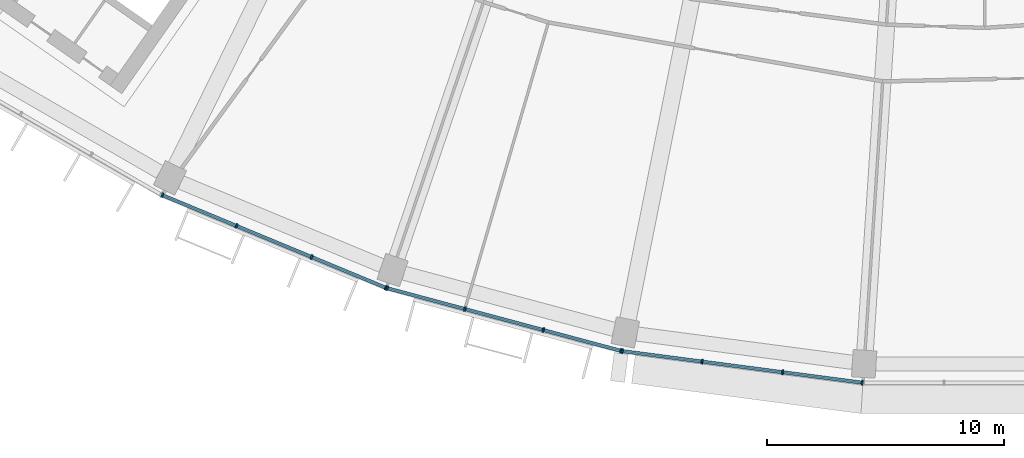
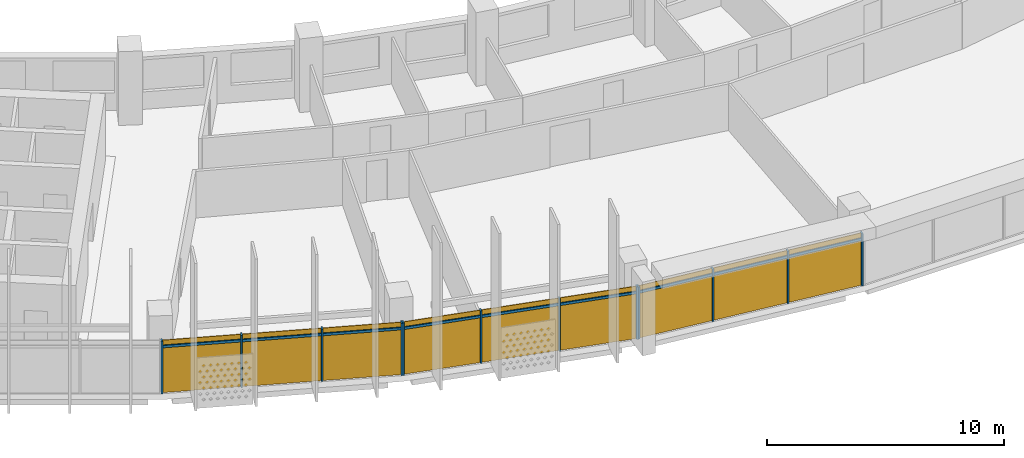
# One storey, part 19 of 28: 21 members, 3 curtain walls.
"""IFC4 building model written with IfcOpenShell, lengths in metres."""

import ifcopenshell
import ifcopenshell.guid

model = None  # the IFC model being written
_history = None  # IfcOwnerHistory: only IFC2X3 demands one
_inside = {}  # id of a spatial element -> (the spatial element, [elements in it])
_under = {}  # id of a project, library or spatial element -> (it, [spatial elements below it])
_declared = {}  # id of a project -> (the project, [libraries it declares])
_typed = {}  # id of a type object -> (the type object, [elements of that type])
_made_of = {}  # id of a material, layer set ... -> (it, [elements and type objects made of it])


def new_model(schema):
    """Start an empty IFC model of exactly this schema.

    Asked for "IFC4X3", IfcOpenShell would pick the latest addendum, in which some entities
    have other attributes; the version numbers below select the first issue.
    IFC2X3 requires an IfcOwnerHistory on every rooted entity: one is made here for all.
    """
    global model, _history
    if schema == "IFC4X3":
        model = ifcopenshell.file(schema_version=(4, 3, 0, 0))
    else:
        model = ifcopenshell.file(schema=schema)
    _inside.clear()
    _under.clear()
    _declared.clear()
    _typed.clear()
    _made_of.clear()
    _history = None
    if model.schema == "IFC2X3":
        org = make("IfcOrganization", Name="unknown")
        user = make(
            "IfcPersonAndOrganization",
            ThePerson=make("IfcPerson", FamilyName="unknown"),
            TheOrganization=org,
        )
        app = make(
            "IfcApplication",
            ApplicationDeveloper=org,
            Version="unknown",
            ApplicationFullName="unknown",
            ApplicationIdentifier="unknown",
        )
        _history = make(
            "IfcOwnerHistory",
            OwningUser=user,
            OwningApplication=app,
            ChangeAction="ADDED",
            CreationDate=0,
        )
    return model


def make(cls, **values):
    """One entity of the class cls with the attributes given. An attribute that is None is left unset."""
    return model.create_entity(
        cls, **{name: value for name, value in values.items() if value is not None}
    )


def rooted(cls, **values):
    """An entity with a GlobalId (a new one), such as an element, a storey or a relation."""
    return make(cls, GlobalId=ifcopenshell.guid.new(), OwnerHistory=_history, **values)


def si_unit(unit_type, name, prefix=None):
    """IfcSIUnit, for example si_unit("LENGTHUNIT", "METRE", prefix="MILLI")."""
    return make("IfcSIUnit", UnitType=unit_type, Prefix=prefix, Name=name)


def assignment(units):
    """IfcUnitAssignment: the units of a project."""
    return None if units is None else make("IfcUnitAssignment", Units=units)


def point(xyz):
    """IfcCartesianPoint."""
    return None if xyz is None else make("IfcCartesianPoint", Coordinates=xyz)


def direction(xyz):
    """IfcDirection."""
    return None if xyz is None else make("IfcDirection", DirectionRatios=xyz)


def frame(location, z_axis=None, x_axis=None):
    """IfcAxis2Placement3D, a coordinate frame: its origin and axes. An axis left out is left unset."""
    return make(
        "IfcAxis2Placement3D",
        Location=point(location),
        Axis=direction(z_axis),
        RefDirection=direction(x_axis),
    )


def frame_2d(location, x_axis=None):
    """IfcAxis2Placement2D, a coordinate frame in the plane: its origin and x axis."""
    return make(
        "IfcAxis2Placement2D", Location=point(location), RefDirection=direction(x_axis)
    )


def origin():
    """The frame at (0, 0, 0) with its axes left unset."""
    return frame((0.0, 0.0, 0.0))


def origin_2d():
    """The frame at (0, 0) in the plane with its x axis left unset."""
    return frame_2d((0.0, 0.0))


def place(relative_to, where):
    """IfcLocalPlacement: puts the frame where relative to a parent placement (None: the world)."""
    return make(
        "IfcLocalPlacement", PlacementRelTo=relative_to, RelativePlacement=where
    )


def context(
    kind, dimensions, precision=None, world=None, true_north=None, identifier=None
):
    """IfcGeometricRepresentationContext, for example the 3D "Model" context."""
    return make(
        "IfcGeometricRepresentationContext",
        ContextIdentifier=identifier,
        ContextType=kind,
        CoordinateSpaceDimension=dimensions,
        Precision=precision,
        WorldCoordinateSystem=world,
        TrueNorth=true_north,
    )


def subcontext(parent, identifier, kind, view, scale=None):
    """IfcGeometricRepresentationSubContext, for example "Body" below "Model"."""
    return make(
        "IfcGeometricRepresentationSubContext",
        ContextIdentifier=identifier,
        ContextType=kind,
        ParentContext=parent,
        TargetScale=scale,
        TargetView=view,
    )


def project(units=None, contexts=None):
    """IfcProject with its units and contexts."""
    return rooted(
        "IfcProject",
        Name="project",
        RepresentationContexts=contexts,
        UnitsInContext=assignment(units),
    )


def spatial(cls, under=None, at=None, **own):
    """A site, building, storey or space (cls), placed at a placement, below another one or the project."""
    s = rooted(cls, ObjectPlacement=at, **own)
    if under is not None:
        _under.setdefault(under.id(), (under, []))[1].append(s)
    return s


def profile(cls, at=None, kind="AREA", **sizes):
    """A parametric profile (cls). Its sizes go by their IFC names, for example OverallWidth=200.0."""
    return make(cls, ProfileType=kind, Position=at, **sizes)


def rectangle(**sizes):
    """IfcRectangleProfileDef."""
    return profile("IfcRectangleProfileDef", **sizes)


def extrude(swept, where, along, depth):
    """IfcExtrudedAreaSolid: the profile swept, set in the frame where, extruded along a direction by depth."""
    return make(
        "IfcExtrudedAreaSolid",
        SweptArea=swept,
        Position=where,
        ExtrudedDirection=direction(along),
        Depth=depth,
    )


def shape(context_of_items, identifier, shape_type, items):
    """IfcShapeRepresentation: the items that make up one representation, for example the "Body"."""
    return make(
        "IfcShapeRepresentation",
        ContextOfItems=context_of_items,
        RepresentationIdentifier=identifier,
        RepresentationType=shape_type,
        Items=items,
    )


def material(Name=None, Category=None):
    """IfcMaterial."""
    return make("IfcMaterial", Name=Name, Category=Category)


def material_profile(
    of_material, cross_section, Name=None, Category=None, Priority=None
):
    """IfcMaterialProfile: a cross section and its material."""
    return make(
        "IfcMaterialProfile",
        Name=Name,
        Material=of_material,
        Profile=cross_section,
        Priority=Priority,
        Category=Category,
    )


def profile_set(profiles, Name=None, composite=None):
    """IfcMaterialProfileSet."""
    return make(
        "IfcMaterialProfileSet",
        Name=Name,
        MaterialProfiles=profiles,
        CompositeProfile=composite,
    )


def made_of(thing, what):
    """Note that an element or type object is made of a material, layer set ...; save() writes the relation."""
    if what is not None:
        _made_of.setdefault(what.id(), (what, []))[1].append(thing)
    return thing


def type_object(cls, material=None, **own):
    """A type object (cls), such as IfcWallType, which elements share."""
    return made_of(rooted(cls, **own), material)


def element(
    cls,
    number,
    at=None,
    inside=None,
    cuts=None,
    type_object=None,
    material=None,
    context=None,
    identifier="Body",
    shape_type=None,
    held_by="IfcProductDefinitionShape",
    body=None,
    shapes=None,
    **own,
):
    """One element of the class cls, such as IfcWall. Its Tag is "e" and its number.

    at: its placement. inside: the storey or other place that contains it. cuts: it is an
    opening in that element (IfcRelVoidsElement). A single representation is given by context,
    identifier, shape_type and body (its items); several are given by shapes. held_by: the class
    of the entity that holds the representations. save() writes the other relations.
    """
    e = rooted(cls, Tag="e%d" % number, ObjectPlacement=at, **own)
    if body is not None:
        shapes = [shape(context, identifier, shape_type, body)]
    if shapes is not None:
        e.Representation = make(held_by, Representations=shapes)
    if inside is not None:
        _inside.setdefault(inside.id(), (inside, []))[1].append(e)
    if cuts is not None:
        rooted(
            "IfcRelVoidsElement", RelatingBuildingElement=cuts, RelatedOpeningElement=e
        )
    if type_object is not None:
        _typed.setdefault(type_object.id(), (type_object, []))[1].append(e)
    return made_of(e, material)


def aggregate(whole, parts):
    """IfcRelAggregates: a whole, such as a stair, and the parts it consists of."""
    return rooted("IfcRelAggregates", RelatingObject=whole, RelatedObjects=parts)


def save(model, path):
    """Write the relations noted so far, then the file.

    IfcRelAggregates (storeys below a building ...), IfcRelContainedInSpatialStructure (elements
    in a storey), IfcRelDefinesByType, IfcRelAssociatesMaterial and IfcRelDeclares: one each for
    every whole, place, type object, material and project.
    """
    for whole, parts in _under.values():
        aggregate(whole, parts)
    for where, things in _inside.values():
        rooted(
            "IfcRelContainedInSpatialStructure",
            RelatedElements=things,
            RelatingStructure=where,
        )
    for kind, things in _typed.values():
        rooted("IfcRelDefinesByType", RelatedObjects=things, RelatingType=kind)
    for what, things in _made_of.values():
        rooted("IfcRelAssociatesMaterial", RelatedObjects=things, RelatingMaterial=what)
    for by, libraries in _declared.values():
        rooted("IfcRelDeclares", RelatingContext=by, RelatedDefinitions=libraries)
    model.write(path)


model = new_model("IFC4")

# Units and contexts
model_context = context("Model", 3, precision=1e-05, world=origin(), true_north=direction((0.0, 1.0)))
body_context = subcontext(model_context, "Body", "Model", "MODEL_VIEW")
ifc_project = project(units=[si_unit("LENGTHUNIT", "METRE"), si_unit("AREAUNIT", "SQUARE_METRE"), si_unit("VOLUMEUNIT", "CUBIC_METRE"), si_unit("PLANEANGLEUNIT", "RADIAN"), si_unit("MASSUNIT", "GRAM", prefix="KILO")], contexts=[model_context])

# Member
ifc_material = material(Name="Aluminium 6063-T6 anodised", Category="aluminium")
ifc_material_profile_1 = material_profile(ifc_material, rectangle(XDim=0.199951171875, YDim=0.070068359375, at=origin_2d()))
ifc_profile_set_1 = profile_set([ifc_material_profile_1], Name="Aluminium 6063-T6 anodised")
member_type_1 = type_object("IfcMemberType", Name="Mullion 70 x 200 aluminium", PredefinedType="MULLION", material=ifc_profile_set_1)
site_placement = place(None, origin())
building_placement = place(site_placement, origin())
storey_placement = place(building_placement, frame((0.0, 0.0, 218.89990234375)))
member_1_placement = place(storey_placement, frame((-34.71533203125, -70.4599609375, 0.0), z_axis=(0.0, 0.0, 1.0), x_axis=(0.382683432365, 0.923879532511, 0.0)))
member_1 = element("IfcMember", 1, at=member_1_placement, type_object=member_type_1, Name="e-cw1-L52-out05/M00", PredefinedType="MULLION", context=body_context, shape_type="SweptSolid", body=[
    extrude(rectangle(XDim=0.199951171875, YDim=0.070068359375, at=origin_2d()), origin(), (0.0, 0.0, 1.0), 2.7001953125),
])

member_2_placement = place(storey_placement, frame((-31.57958984375, -71.759033203125, 0.0), z_axis=(0.0, 0.0, 1.0), x_axis=(0.382683432365, 0.923879532511, 0.0)))
member_2 = element("IfcMember", 2, at=member_2_placement, type_object=member_type_1, Name="e-cw1-L52-out05/M01", PredefinedType="MULLION", context=body_context, shape_type="SweptSolid", body=[
    extrude(rectangle(XDim=0.199951171875, YDim=0.070068359375, at=origin_2d()), origin(), (0.0, 0.0, 1.0), 2.7001953125),
])

member_3_placement = place(storey_placement, frame((-28.4111328125, -73.0712890625, 0.0), z_axis=(0.0, 0.0, 1.0), x_axis=(0.382683432365, 0.923879532511, 0.0)))
member_3 = element("IfcMember", 3, at=member_3_placement, type_object=member_type_1, Name="e-cw1-L52-out05/M02", PredefinedType="MULLION", context=body_context, shape_type="SweptSolid", body=[
    extrude(rectangle(XDim=0.199951171875, YDim=0.070068359375, at=origin_2d()), origin(), (0.0, 0.0, 1.0), 2.7001953125),
])

member_4_placement = place(storey_placement, frame((-25.275390625, -74.370361328125, 0.0), z_axis=(0.0, 0.0, 1.0), x_axis=(0.382683432365, 0.923879532511, 0.0)))
member_4 = element("IfcMember", 4, at=member_4_placement, type_object=member_type_1, Name="e-cw1-L52-out05/M03", PredefinedType="MULLION", context=body_context, shape_type="SweptSolid", body=[
    extrude(rectangle(XDim=0.199951171875, YDim=0.070068359375, at=origin_2d()), origin(), (0.0, 0.0, 1.0), 2.7001953125),
])

member_5_placement = place(storey_placement, frame((-25.221435546875, -74.388427734375, 0.0), z_axis=(0.0, 0.0, 1.0), x_axis=(0.258819045103, 0.965925826289, 0.0)))
member_5 = element("IfcMember", 5, at=member_5_placement, type_object=member_type_1, Name="e-cw1-L52-out06/M00", PredefinedType="MULLION", context=body_context, shape_type="SweptSolid", body=[
    extrude(rectangle(XDim=0.199951171875, YDim=0.070068359375, at=origin_2d()), origin(), (0.0, 0.0, 1.0), 2.7001953125),
])

member_6_placement = place(storey_placement, frame((-21.94287109375, -75.26708984375, 0.0), z_axis=(0.0, 0.0, 1.0), x_axis=(0.258819045103, 0.965925826289, 0.0)))
member_6 = element("IfcMember", 6, at=member_6_placement, type_object=member_type_1, Name="e-cw1-L52-out06/M01", PredefinedType="MULLION", context=body_context, shape_type="SweptSolid", body=[
    extrude(rectangle(XDim=0.199951171875, YDim=0.070068359375, at=origin_2d()), origin(), (0.0, 0.0, 1.0), 2.7001953125),
])

member_7_placement = place(storey_placement, frame((-18.63037109375, -76.154541015625, 0.0), z_axis=(0.0, 0.0, 1.0), x_axis=(0.258819045103, 0.965925826289, 0.0)))
member_7 = element("IfcMember", 7, at=member_7_placement, type_object=member_type_1, Name="e-cw1-L52-out06/M02", PredefinedType="MULLION", context=body_context, shape_type="SweptSolid", body=[
    extrude(rectangle(XDim=0.199951171875, YDim=0.070068359375, at=origin_2d()), origin(), (0.0, 0.0, 1.0), 2.7001953125),
])

member_8_placement = place(storey_placement, frame((-15.351806640625, -77.033203125, 0.0), z_axis=(0.0, 0.0, 1.0), x_axis=(0.258819045103, 0.965925826289, 0.0)))
member_8 = element("IfcMember", 8, at=member_8_placement, type_object=member_type_1, Name="e-cw1-L52-out06/M03", PredefinedType="MULLION", context=body_context, shape_type="SweptSolid", body=[
    extrude(rectangle(XDim=0.199951171875, YDim=0.070068359375, at=origin_2d()), origin(), (0.0, 0.0, 1.0), 2.7001953125),
])

member_9_placement = place(storey_placement, frame((-15.296142578125, -77.044189453125, 0.0), z_axis=(0.0, 0.0, 1.0), x_axis=(0.13052619222, 0.991444861374, 0.0)))
member_9 = element("IfcMember", 9, at=member_9_placement, type_object=member_type_1, Name="e-cw1-L52-out07/M00", PredefinedType="MULLION", context=body_context, shape_type="SweptSolid", body=[
    extrude(rectangle(XDim=0.199951171875, YDim=0.070068359375, at=origin_2d()), origin(), (0.0, 0.0, 1.0), 2.7001953125),
])

member_10_placement = place(storey_placement, frame((-11.930908203125, -77.4873046875, 0.0), z_axis=(0.0, 0.0, 1.0), x_axis=(0.13052619222, 0.991444861374, 0.0)))
member_10 = element("IfcMember", 10, at=member_10_placement, type_object=member_type_1, Name="e-cw1-L52-out07/M01", PredefinedType="MULLION", context=body_context, shape_type="SweptSolid", body=[
    extrude(rectangle(XDim=0.199951171875, YDim=0.070068359375, at=origin_2d()), origin(), (0.0, 0.0, 1.0), 2.7001953125),
])

member_11_placement = place(storey_placement, frame((-8.53076171875, -77.934814453125, 0.0), z_axis=(0.0, 0.0, 1.0), x_axis=(0.13052619222, 0.991444861374, 0.0)))
member_11 = element("IfcMember", 11, at=member_11_placement, type_object=member_type_1, Name="e-cw1-L52-out07/M02", PredefinedType="MULLION", context=body_context, shape_type="SweptSolid", body=[
    extrude(rectangle(XDim=0.199951171875, YDim=0.070068359375, at=origin_2d()), origin(), (0.0, 0.0, 1.0), 2.7001953125),
])

member_12_placement = place(storey_placement, frame((-5.16552734375, -78.3779296875, 0.0), z_axis=(0.0, 0.0, 1.0), x_axis=(0.13052619222, 0.991444861374, 0.0)))
member_12 = element("IfcMember", 12, at=member_12_placement, type_object=member_type_1, Name="e-cw1-L52-out07/M03", PredefinedType="MULLION", context=body_context, shape_type="SweptSolid", body=[
    extrude(rectangle(XDim=0.199951171875, YDim=0.070068359375, at=origin_2d()), origin(), (0.0, 0.0, 1.0), 2.7001953125),
])

ifc_material_profile_2 = material_profile(ifc_material, rectangle(XDim=0.139892578125, YDim=0.1201171875, at=origin_2d()))
ifc_profile_set_2 = profile_set([ifc_material_profile_2], Name="Aluminium 6063-T6 anodised")
member_type_2 = type_object("IfcMemberType", Name="Transom 120 x 140 aluminium", PredefinedType="USERDEFINED", material=ifc_profile_set_2)
member_13_placement = place(storey_placement, frame((-34.68310546875, -70.473388671875, 2.400146484375), z_axis=(0.923874511193, -0.382695554676, 0.0), x_axis=(0.382695554676, 0.923874511193, 0.0)))
member_13 = element("IfcMember", 13, at=member_13_placement, type_object=member_type_2, Name="e-cw1-L52-out05/T00", ObjectType="TRANSOM", PredefinedType="USERDEFINED", context=body_context, shape_type="SweptSolid", body=[
    extrude(rectangle(XDim=0.139892578125, YDim=0.1201171875, at=origin_2d()), origin(), (0.0, 0.0, 1.0), 3.324462890625),
])

member_14_placement = place(storey_placement, frame((-31.547119140625, -71.7724609375, 2.400146484375), z_axis=(0.923891938088, -0.38265348128, 0.0), x_axis=(0.38265348128, 0.923891938088, 0.0)))
member_14 = element("IfcMember", 14, at=member_14_placement, type_object=member_type_2, Name="e-cw1-L52-out05/T01", ObjectType="TRANSOM", PredefinedType="USERDEFINED", context=body_context, shape_type="SweptSolid", body=[
    extrude(rectangle(XDim=0.139892578125, YDim=0.1201171875, at=origin_2d()), origin(), (0.0, 0.0, 1.0), 3.359130859375),
])

member_15_placement = place(storey_placement, frame((-28.37890625, -73.084716796875, 2.400146484375), z_axis=(0.923874511193, -0.382695554676, 0.0), x_axis=(0.382695554676, 0.923874511193, 0.0)))
member_15 = element("IfcMember", 15, at=member_15_placement, type_object=member_type_2, Name="e-cw1-L52-out05/T02", ObjectType="TRANSOM", PredefinedType="USERDEFINED", context=body_context, shape_type="SweptSolid", body=[
    extrude(rectangle(XDim=0.139892578125, YDim=0.1201171875, at=origin_2d()), origin(), (0.0, 0.0, 1.0), 3.324462890625),
])

member_16_placement = place(storey_placement, frame((-25.187744140625, -74.3974609375, 2.400146484375), z_axis=(0.965908708139, -0.25888292246, 0.0), x_axis=(0.25888292246, 0.965908708139, 0.0)))
member_16 = element("IfcMember", 16, at=member_16_placement, type_object=member_type_2, Name="e-cw1-L52-out06/T00", ObjectType="TRANSOM", PredefinedType="USERDEFINED", context=body_context, shape_type="SweptSolid", body=[
    extrude(rectangle(XDim=0.139892578125, YDim=0.1201171875, at=origin_2d()), origin(), (0.0, 0.0, 1.0), 3.32421875),
])

member_17_placement = place(storey_placement, frame((-21.9091796875, -75.276123046875, 2.400146484375), z_axis=(0.965931507774, -0.258797840582, 0.0), x_axis=(0.258797840582, 0.965931507774, 0.0)))
member_17 = element("IfcMember", 17, at=member_17_placement, type_object=member_type_2, Name="e-cw1-L52-out06/T01", ObjectType="TRANSOM", PredefinedType="USERDEFINED", context=body_context, shape_type="SweptSolid", body=[
    extrude(rectangle(XDim=0.139892578125, YDim=0.1201171875, at=origin_2d()), origin(), (0.0, 0.0, 1.0), 3.359375),
])

member_18_placement = place(storey_placement, frame((-18.5966796875, -76.16357421875, 2.400146484375), z_axis=(0.965913629723, -0.258864559019, 0.0), x_axis=(0.258864559019, 0.965913629723, 0.0)))
member_18 = element("IfcMember", 18, at=member_18_placement, type_object=member_type_2, Name="e-cw1-L52-out06/T02", ObjectType="TRANSOM", PredefinedType="USERDEFINED", context=body_context, shape_type="SweptSolid", body=[
    extrude(rectangle(XDim=0.139892578125, YDim=0.1201171875, at=origin_2d()), origin(), (0.0, 0.0, 1.0), 3.324462890625),
])

member_19_placement = place(storey_placement, frame((-15.261474609375, -77.048828125, 2.400146484375), z_axis=(0.991447795146, -0.130503906072, 0.0), x_axis=(0.130503906072, 0.991447795146, 0.0)))
member_19 = element("IfcMember", 19, at=member_19_placement, type_object=member_type_2, Name="e-cw1-L52-out07/T00", ObjectType="TRANSOM", PredefinedType="USERDEFINED", context=body_context, shape_type="SweptSolid", body=[
    extrude(rectangle(XDim=0.139892578125, YDim=0.1201171875, at=origin_2d()), origin(), (0.0, 0.0, 1.0), 3.32421875),
])

member_20_placement = place(storey_placement, frame((-11.896240234375, -77.49169921875, 2.400146484375), z_axis=(0.991444893088, -0.130525951326, 0.0), x_axis=(0.130525951326, 0.991444893088, 0.0)))
member_20 = element("IfcMember", 20, at=member_20_placement, type_object=member_type_2, Name="e-cw1-L52-out07/T01", ObjectType="TRANSOM", PredefinedType="USERDEFINED", context=body_context, shape_type="SweptSolid", body=[
    extrude(rectangle(XDim=0.139892578125, YDim=0.1201171875, at=origin_2d()), origin(), (0.0, 0.0, 1.0), 3.359375),
])

member_21_placement = place(storey_placement, frame((-8.49609375, -77.939453125, 2.400146484375), z_axis=(0.991447795146, -0.130503906072, 0.0), x_axis=(0.130503906072, 0.991447795146, 0.0)))
member_21 = element("IfcMember", 21, at=member_21_placement, type_object=member_type_2, Name="e-cw1-L52-out07/T02", ObjectType="TRANSOM", PredefinedType="USERDEFINED", context=body_context, shape_type="SweptSolid", body=[
    extrude(rectangle(XDim=0.139892578125, YDim=0.1201171875, at=origin_2d()), origin(), (0.0, 0.0, 1.0), 3.32421875),
])

# Site, building, storey
site = spatial("IfcSite", under=ifc_project, at=site_placement, CompositionType="ELEMENT")
building = spatial("IfcBuilding", under=site, at=building_placement, Name="Qamariyya Broadcast Tower", CompositionType="ELEMENT")
storey = spatial("IfcBuildingStorey", under=building, at=storey_placement, Name="L52", CompositionType="ELEMENT", Elevation=218.89990234375)

# Curtain wall
curtain_wall_type = type_object("IfcCurtainWallType", Name="Unitised curtain wall, anodised aluminium", PredefinedType="NOTDEFINED", material=ifc_material)
curtain_wall_1_placement = place(storey_placement, origin())
curtain_wall_1 = element("IfcCurtainWall", 22, at=curtain_wall_1_placement, inside=storey, type_object=curtain_wall_type, Name="e-cw1-L52-out05", PredefinedType="NOTDEFINED", context=body_context, shape_type="SweptSolid", body=[
    extrude(rectangle(XDim=3.32421875, YDim=0.031982421875, at=origin_2d()), frame((-33.1474609375, -71.109375, 0.0), x_axis=(0.923880895135, -0.382680142683, 0.0)), (0.0, 0.0, 1.0), 2.340087890625),
    extrude(rectangle(XDim=3.32421875, YDim=0.031982421875, at=origin_2d()), frame((-33.1474609375, -71.109375, 2.460205078125), x_axis=(0.923880895135, -0.382680142683, 0.0)), (0.0, 0.0, 1.0), 0.239990234375),
    extrude(rectangle(XDim=3.359375, YDim=0.031982421875, at=origin_2d()), frame((-29.995361328125, -72.4150390625, 0.0), x_axis=(0.923880895135, -0.382680142683, 0.0)), (0.0, 0.0, 1.0), 2.340087890625),
    extrude(rectangle(XDim=3.359375, YDim=0.031982421875, at=origin_2d()), frame((-29.995361328125, -72.4150390625, 2.460205078125), x_axis=(0.923880895135, -0.382680142683, 0.0)), (0.0, 0.0, 1.0), 0.239990234375),
    extrude(rectangle(XDim=3.32421875, YDim=0.031982421875, at=origin_2d()), frame((-26.84326171875, -73.720703125, 0.0), x_axis=(0.923880895135, -0.382680142683, 0.0)), (0.0, 0.0, 1.0), 2.340087890625),
    extrude(rectangle(XDim=3.32421875, YDim=0.031982421875, at=origin_2d()), frame((-26.84326171875, -73.720703125, 2.460205078125), x_axis=(0.923880895135, -0.382680142683, 0.0)), (0.0, 0.0, 1.0), 0.239990234375),
])

aggregate(curtain_wall_1, [member_1, member_2, member_3, member_4, member_13, member_14, member_15])

curtain_wall_2_placement = place(storey_placement, origin())
curtain_wall_2 = element("IfcCurtainWall", 23, at=curtain_wall_2_placement, inside=storey, type_object=curtain_wall_type, Name="e-cw1-L52-out06", PredefinedType="NOTDEFINED", context=body_context, shape_type="SweptSolid", body=[
    extrude(rectangle(XDim=3.324462890625, YDim=0.031982421875, at=origin_2d()), frame((-23.582275390625, -74.82763671875, 0.0), x_axis=(0.965923476514, -0.258827814424, 0.0)), (0.0, 0.0, 1.0), 2.340087890625),
    extrude(rectangle(XDim=3.324462890625, YDim=0.031982421875, at=origin_2d()), frame((-23.582275390625, -74.82763671875, 2.460205078125), x_axis=(0.965923476514, -0.258827814424, 0.0)), (0.0, 0.0, 1.0), 0.239990234375),
    extrude(rectangle(XDim=3.359375, YDim=0.031982421875, at=origin_2d()), frame((-20.28662109375, -75.7109375, 0.0), x_axis=(0.965923476514, -0.258827814424, 0.0)), (0.0, 0.0, 1.0), 2.340087890625),
    extrude(rectangle(XDim=3.359375, YDim=0.031982421875, at=origin_2d()), frame((-20.28662109375, -75.7109375, 2.460205078125), x_axis=(0.965923476514, -0.258827814424, 0.0)), (0.0, 0.0, 1.0), 0.239990234375),
    extrude(rectangle(XDim=3.324462890625, YDim=0.031982421875, at=origin_2d()), frame((-16.990966796875, -76.593994140625, 0.0), x_axis=(0.965923476514, -0.258827814424, 0.0)), (0.0, 0.0, 1.0), 2.340087890625),
    extrude(rectangle(XDim=3.324462890625, YDim=0.031982421875, at=origin_2d()), frame((-16.990966796875, -76.593994140625, 2.460205078125), x_axis=(0.965923476514, -0.258827814424, 0.0)), (0.0, 0.0, 1.0), 0.239990234375),
])

aggregate(curtain_wall_2, [member_5, member_6, member_7, member_8, member_16, member_17, member_18])

curtain_wall_3_placement = place(storey_placement, origin())
curtain_wall_3 = element("IfcCurtainWall", 24, at=curtain_wall_3_placement, inside=storey, type_object=curtain_wall_type, Name="e-cw1-L52-out07", PredefinedType="NOTDEFINED", context=body_context, shape_type="SweptSolid", body=[
    extrude(rectangle(XDim=3.32421875, YDim=0.031982421875, at=origin_2d()), frame((-13.613525390625, -77.265625, 0.0), x_axis=(0.991442741341, -0.130542294457, 0.0)), (0.0, 0.0, 1.0), 2.340087890625),
    extrude(rectangle(XDim=3.32421875, YDim=0.031982421875, at=origin_2d()), frame((-13.613525390625, -77.265625, 2.460205078125), x_axis=(0.991442741341, -0.130542294457, 0.0)), (0.0, 0.0, 1.0), 0.239990234375),
    extrude(rectangle(XDim=3.359375, YDim=0.031982421875, at=origin_2d()), frame((-10.23095703125, -77.7109375, 0.0), x_axis=(0.991442741341, -0.130542294457, 0.0)), (0.0, 0.0, 1.0), 2.340087890625),
    extrude(rectangle(XDim=3.359375, YDim=0.031982421875, at=origin_2d()), frame((-10.23095703125, -77.7109375, 2.460205078125), x_axis=(0.991442741341, -0.130542294457, 0.0)), (0.0, 0.0, 1.0), 0.239990234375),
    extrude(rectangle(XDim=3.32421875, YDim=0.031982421875, at=origin_2d()), frame((-6.84814453125, -78.156494140625, 0.0), x_axis=(0.991442741341, -0.130542294457, 0.0)), (0.0, 0.0, 1.0), 2.340087890625),
    extrude(rectangle(XDim=3.32421875, YDim=0.031982421875, at=origin_2d()), frame((-6.84814453125, -78.156494140625, 2.460205078125), x_axis=(0.991442741341, -0.130542294457, 0.0)), (0.0, 0.0, 1.0), 0.239990234375),
])

aggregate(curtain_wall_3, [member_9, member_10, member_11, member_12, member_19, member_20, member_21])

save(model, "model.ifc")
